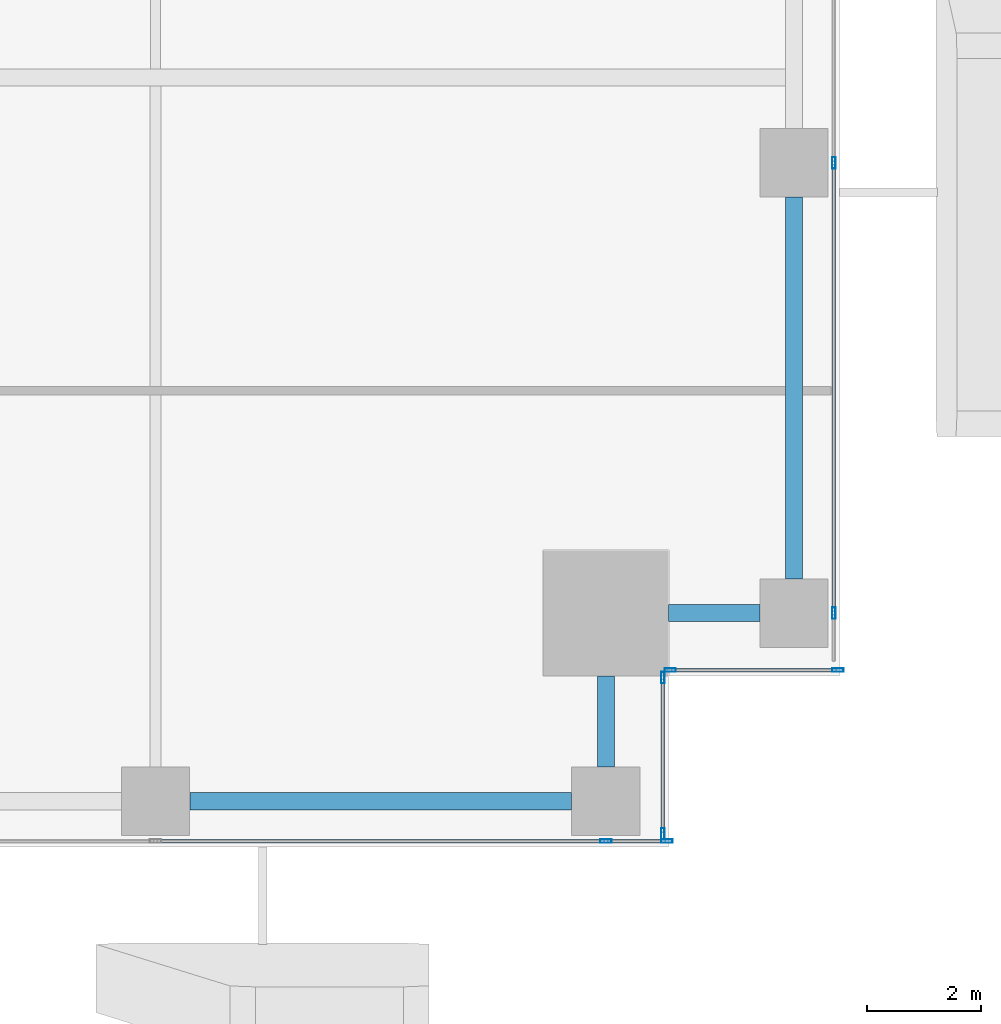
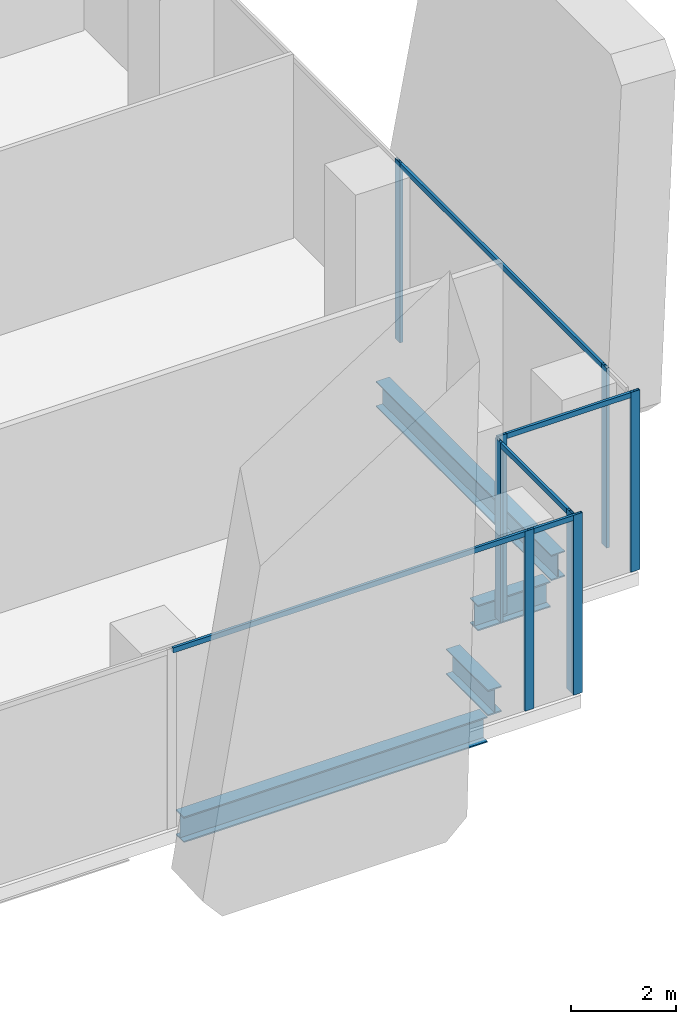
# One storey, part 8 of 34: 13 members, 4 beams, 4 elements without a shape of their own.
"""IFC4 building model written with IfcOpenShell, lengths in metres."""

import ifcopenshell
import ifcopenshell.guid

model = None  # the IFC model being written
_history = None  # IfcOwnerHistory: only IFC2X3 demands one
_inside = {}  # id of a spatial element -> (the spatial element, [elements in it])
_under = {}  # id of a project, library or spatial element -> (it, [spatial elements below it])
_declared = {}  # id of a project -> (the project, [libraries it declares])
_typed = {}  # id of a type object -> (the type object, [elements of that type])
_made_of = {}  # id of a material, layer set ... -> (it, [elements and type objects made of it])


def new_model(schema):
    """Start an empty IFC model of exactly this schema.

    Asked for "IFC4X3", IfcOpenShell would pick the latest addendum, in which some entities
    have other attributes; the version numbers below select the first issue.
    IFC2X3 requires an IfcOwnerHistory on every rooted entity: one is made here for all.
    """
    global model, _history
    if schema == "IFC4X3":
        model = ifcopenshell.file(schema_version=(4, 3, 0, 0))
    else:
        model = ifcopenshell.file(schema=schema)
    _inside.clear()
    _under.clear()
    _declared.clear()
    _typed.clear()
    _made_of.clear()
    _history = None
    if model.schema == "IFC2X3":
        org = make("IfcOrganization", Name="unknown")
        user = make(
            "IfcPersonAndOrganization",
            ThePerson=make("IfcPerson", FamilyName="unknown"),
            TheOrganization=org,
        )
        app = make(
            "IfcApplication",
            ApplicationDeveloper=org,
            Version="unknown",
            ApplicationFullName="unknown",
            ApplicationIdentifier="unknown",
        )
        _history = make(
            "IfcOwnerHistory",
            OwningUser=user,
            OwningApplication=app,
            ChangeAction="ADDED",
            CreationDate=0,
        )
    return model


def make(cls, **values):
    """One entity of the class cls with the attributes given. An attribute that is None is left unset."""
    return model.create_entity(
        cls, **{name: value for name, value in values.items() if value is not None}
    )


def rooted(cls, **values):
    """An entity with a GlobalId (a new one), such as an element, a storey or a relation."""
    return make(cls, GlobalId=ifcopenshell.guid.new(), OwnerHistory=_history, **values)


def si_unit(unit_type, name, prefix=None):
    """IfcSIUnit, for example si_unit("LENGTHUNIT", "METRE", prefix="MILLI")."""
    return make("IfcSIUnit", UnitType=unit_type, Prefix=prefix, Name=name)


def assignment(units):
    """IfcUnitAssignment: the units of a project."""
    return None if units is None else make("IfcUnitAssignment", Units=units)


def point(xyz):
    """IfcCartesianPoint."""
    return None if xyz is None else make("IfcCartesianPoint", Coordinates=xyz)


def direction(xyz):
    """IfcDirection."""
    return None if xyz is None else make("IfcDirection", DirectionRatios=xyz)


def frame(location, z_axis=None, x_axis=None):
    """IfcAxis2Placement3D, a coordinate frame: its origin and axes. An axis left out is left unset."""
    return make(
        "IfcAxis2Placement3D",
        Location=point(location),
        Axis=direction(z_axis),
        RefDirection=direction(x_axis),
    )


def frame_2d(location, x_axis=None):
    """IfcAxis2Placement2D, a coordinate frame in the plane: its origin and x axis."""
    return make(
        "IfcAxis2Placement2D", Location=point(location), RefDirection=direction(x_axis)
    )


def origin():
    """The frame at (0, 0, 0) with its axes left unset."""
    return frame((0.0, 0.0, 0.0))


def origin_2d():
    """The frame at (0, 0) in the plane with its x axis left unset."""
    return frame_2d((0.0, 0.0))


def place(relative_to, where):
    """IfcLocalPlacement: puts the frame where relative to a parent placement (None: the world)."""
    return make(
        "IfcLocalPlacement", PlacementRelTo=relative_to, RelativePlacement=where
    )


def context(
    kind, dimensions, precision=None, world=None, true_north=None, identifier=None
):
    """IfcGeometricRepresentationContext, for example the 3D "Model" context."""
    return make(
        "IfcGeometricRepresentationContext",
        ContextIdentifier=identifier,
        ContextType=kind,
        CoordinateSpaceDimension=dimensions,
        Precision=precision,
        WorldCoordinateSystem=world,
        TrueNorth=true_north,
    )


def subcontext(parent, identifier, kind, view, scale=None):
    """IfcGeometricRepresentationSubContext, for example "Body" below "Model"."""
    return make(
        "IfcGeometricRepresentationSubContext",
        ContextIdentifier=identifier,
        ContextType=kind,
        ParentContext=parent,
        TargetScale=scale,
        TargetView=view,
    )


def project(units=None, contexts=None):
    """IfcProject with its units and contexts."""
    return rooted(
        "IfcProject",
        Name="project",
        RepresentationContexts=contexts,
        UnitsInContext=assignment(units),
    )


def spatial(cls, under=None, at=None, **own):
    """A site, building, storey or space (cls), placed at a placement, below another one or the project."""
    s = rooted(cls, ObjectPlacement=at, **own)
    if under is not None:
        _under.setdefault(under.id(), (under, []))[1].append(s)
    return s


def profile(cls, at=None, kind="AREA", **sizes):
    """A parametric profile (cls). Its sizes go by their IFC names, for example OverallWidth=200.0."""
    return make(cls, ProfileType=kind, Position=at, **sizes)


def hollow_rectangle(**sizes):
    """IfcRectangleHollowProfileDef."""
    return profile("IfcRectangleHollowProfileDef", **sizes)


def i_section(**sizes):
    """IfcIShapeProfileDef."""
    return profile("IfcIShapeProfileDef", **sizes)


def extrude(swept, where, along, depth):
    """IfcExtrudedAreaSolid: the profile swept, set in the frame where, extruded along a direction by depth."""
    return make(
        "IfcExtrudedAreaSolid",
        SweptArea=swept,
        Position=where,
        ExtrudedDirection=direction(along),
        Depth=depth,
    )


def shape(context_of_items, identifier, shape_type, items):
    """IfcShapeRepresentation: the items that make up one representation, for example the "Body"."""
    return make(
        "IfcShapeRepresentation",
        ContextOfItems=context_of_items,
        RepresentationIdentifier=identifier,
        RepresentationType=shape_type,
        Items=items,
    )


def source(mapping_origin, context_of_items, identifier, shape_type, items):
    """IfcRepresentationMap: a shape defined once, which mapped items show again and again."""
    return make(
        "IfcRepresentationMap",
        MappingOrigin=mapping_origin,
        MappedRepresentation=shape(context_of_items, identifier, shape_type, items),
    )


def transform(
    local_origin,
    x_axis=None,
    y_axis=None,
    z_axis=None,
    scale=None,
    scale2=None,
    scale3=None,
    uniform=True,
):
    """IfcCartesianTransformationOperator3D, or its non-uniform kind. x_axis, y_axis, z_axis: its Axis1, 2, 3."""
    if uniform:
        return make(
            "IfcCartesianTransformationOperator3D",
            Axis1=direction(x_axis),
            Axis2=direction(y_axis),
            LocalOrigin=point(local_origin),
            Scale=scale,
            Axis3=direction(z_axis),
        )
    return make(
        "IfcCartesianTransformationOperator3DnonUniform",
        Axis1=direction(x_axis),
        Axis2=direction(y_axis),
        LocalOrigin=point(local_origin),
        Scale=scale,
        Axis3=direction(z_axis),
        Scale2=scale2,
        Scale3=scale3,
    )


def mapped(mapping_source, mapping_target):
    """IfcMappedItem: shows the shape of a source again, moved by a transform."""
    return make(
        "IfcMappedItem", MappingSource=mapping_source, MappingTarget=mapping_target
    )


def material(Name=None, Category=None):
    """IfcMaterial."""
    return make("IfcMaterial", Name=Name, Category=Category)


def material_profile(
    of_material, cross_section, Name=None, Category=None, Priority=None
):
    """IfcMaterialProfile: a cross section and its material."""
    return make(
        "IfcMaterialProfile",
        Name=Name,
        Material=of_material,
        Profile=cross_section,
        Priority=Priority,
        Category=Category,
    )


def profile_set(profiles, Name=None, composite=None):
    """IfcMaterialProfileSet."""
    return make(
        "IfcMaterialProfileSet",
        Name=Name,
        MaterialProfiles=profiles,
        CompositeProfile=composite,
    )


def made_of(thing, what):
    """Note that an element or type object is made of a material, layer set ...; save() writes the relation."""
    if what is not None:
        _made_of.setdefault(what.id(), (what, []))[1].append(thing)
    return thing


def type_object(cls, material=None, **own):
    """A type object (cls), such as IfcWallType, which elements share."""
    return made_of(rooted(cls, **own), material)


def element(
    cls,
    number,
    at=None,
    inside=None,
    cuts=None,
    type_object=None,
    material=None,
    context=None,
    identifier="Body",
    shape_type=None,
    held_by="IfcProductDefinitionShape",
    body=None,
    shapes=None,
    **own,
):
    """One element of the class cls, such as IfcWall. Its Tag is "e" and its number.

    at: its placement. inside: the storey or other place that contains it. cuts: it is an
    opening in that element (IfcRelVoidsElement). A single representation is given by context,
    identifier, shape_type and body (its items); several are given by shapes. held_by: the class
    of the entity that holds the representations. save() writes the other relations.
    """
    e = rooted(cls, Tag="e%d" % number, ObjectPlacement=at, **own)
    if body is not None:
        shapes = [shape(context, identifier, shape_type, body)]
    if shapes is not None:
        e.Representation = make(held_by, Representations=shapes)
    if inside is not None:
        _inside.setdefault(inside.id(), (inside, []))[1].append(e)
    if cuts is not None:
        rooted(
            "IfcRelVoidsElement", RelatingBuildingElement=cuts, RelatedOpeningElement=e
        )
    if type_object is not None:
        _typed.setdefault(type_object.id(), (type_object, []))[1].append(e)
    return made_of(e, material)


def aggregate(whole, parts):
    """IfcRelAggregates: a whole, such as a stair, and the parts it consists of."""
    return rooted("IfcRelAggregates", RelatingObject=whole, RelatedObjects=parts)


def save(model, path):
    """Write the relations noted so far, then the file.

    IfcRelAggregates (storeys below a building ...), IfcRelContainedInSpatialStructure (elements
    in a storey), IfcRelDefinesByType, IfcRelAssociatesMaterial and IfcRelDeclares: one each for
    every whole, place, type object, material and project.
    """
    for whole, parts in _under.values():
        aggregate(whole, parts)
    for where, things in _inside.values():
        rooted(
            "IfcRelContainedInSpatialStructure",
            RelatedElements=things,
            RelatingStructure=where,
        )
    for kind, things in _typed.values():
        rooted("IfcRelDefinesByType", RelatedObjects=things, RelatingType=kind)
    for what, things in _made_of.values():
        rooted("IfcRelAssociatesMaterial", RelatedObjects=things, RelatingMaterial=what)
    for by, libraries in _declared.values():
        rooted("IfcRelDeclares", RelatingContext=by, RelatedDefinitions=libraries)
    model.write(path)


model = new_model("IFC4")

# Units and contexts
model_context = context("Model", 3, precision=1e-05, world=origin(), true_north=direction((0.0, 1.0)))
body_context = subcontext(model_context, "Body", "Model", "MODEL_VIEW")
ifc_project = project(units=[si_unit("LENGTHUNIT", "METRE"), si_unit("AREAUNIT", "SQUARE_METRE"), si_unit("VOLUMEUNIT", "CUBIC_METRE"), si_unit("PLANEANGLEUNIT", "RADIAN"), si_unit("MASSUNIT", "GRAM", prefix="KILO")], contexts=[model_context])

# Site, building, storey
site_placement = place(None, origin())
site = spatial("IfcSite", under=ifc_project, at=site_placement, CompositionType="ELEMENT")
building_placement = place(site_placement, origin())
building = spatial("IfcBuilding", under=site, at=building_placement, Name="Khomas Fold Tower", CompositionType="ELEMENT")
storey_placement = place(building_placement, frame((0.0, 0.0, 51.0)))
storey = spatial("IfcBuildingStorey", under=building, at=storey_placement, Name="L10", CompositionType="ELEMENT", Elevation=51.0)

# Beams
ifc_material_1 = material(Name="Steel S355", Category="steel")
ifc_material_profile_1 = material_profile(ifc_material_1, i_section(OverallWidth=0.300048828125, OverallDepth=0.60009765625, WebThickness=0.015380859375, FlangeThickness=0.030029296875, at=origin_2d()), Name="HE 600 B")
ifc_profile_set_1 = profile_set([ifc_material_profile_1], Name="Steel S355")
beam_type = type_object("IfcBeamType", Name="HE 600 B spandrel SB1", PredefinedType="SPANDREL", material=ifc_profile_set_1)
shared_shape_1 = source(origin(), body_context, "Body", "SweptSolid", [
    extrude(i_section(OverallWidth=0.300048828125, OverallDepth=0.60009765625, WebThickness=0.015380859375, FlangeThickness=0.030029296875, at=origin_2d()), origin(), (0.0, 0.0, 1.0), 6.699951171875),
])
for number, where, z_axis, x_axis, name in (
    (1, (42.60009765625, 0.800048828125, -0.60009765625), (1.0, 0.0, 0.0), (0.0, 1.0, 0.0), "SB1"),
    (2, (53.199951171875, 4.699951171875, -0.60009765625), (0.0, 1.0, 0.0), (-1.0, 0.0, 0.0), "SB1"),
):
    element("IfcBeam", number, at=place(storey_placement, frame(where, z_axis=z_axis, x_axis=x_axis)), inside=storey, type_object=beam_type, Name=name, PredefinedType="SPANDREL", context=body_context, shape_type="MappedRepresentation", body=[
        mapped(shared_shape_1, transform((0.0, 0.0, 0.0))),
    ])
shared_shape_2 = source(origin(), body_context, "Body", "SweptSolid", [
    extrude(i_section(OverallWidth=0.300048828125, OverallDepth=0.60009765625, WebThickness=0.015380859375, FlangeThickness=0.030029296875, at=origin_2d()), origin(), (0.0, 0.0, 1.0), 1.60009765625),
])
for number, where, z_axis, x_axis, name in (
    (3, (49.89990234375, 1.39990234375, -0.60009765625), (0.0, 1.0, 0.0), (-1.0, 0.0, 0.0), "SB1"),
    (4, (51.0, 4.10009765625, -0.60009765625), (1.0, 0.0, 0.0), (0.0, 1.0, 0.0), "SB1"),
):
    element("IfcBeam", number, at=place(storey_placement, frame(where, z_axis=z_axis, x_axis=x_axis)), inside=storey, type_object=beam_type, Name=name, PredefinedType="SPANDREL", context=body_context, shape_type="MappedRepresentation", body=[
        mapped(shared_shape_2, transform((0.0, 0.0, 0.0))),
    ])

# Curtain wall, member
ifc_material_2 = material(Name="Aluminium framed double glazing", Category="aluminium")
curtain_wall_type = type_object("IfcCurtainWallType", Name="SK-Unitised clear-glass wall, growing floors CW1", PredefinedType="NOTDEFINED", material=ifc_material_2)
curtain_wall_1_placement = place(storey_placement, origin())
curtain_wall_1 = element("IfcCurtainWall", 5, at=curtain_wall_1_placement, inside=storey, type_object=curtain_wall_type, Name="CW1 run L10 00-0", PredefinedType="NOTDEFINED")
ifc_material_3 = material(Name="Aluminium", Category="aluminium")
ifc_material_profile_2 = material_profile(ifc_material_3, hollow_rectangle(XDim=0.06005859375, YDim=0.1201171875, WallThickness=0.00390625, at=origin_2d()), Name="SK-Unitised clear-glass wall, growing floors transom CW1-T")
ifc_profile_set_2 = profile_set([ifc_material_profile_2], Name="Aluminium")
member_type_1 = type_object("IfcMemberType", Name="SK-Unitised clear-glass wall, growing floors transom CW1-T", PredefinedType="USERDEFINED", material=ifc_profile_set_2)
shared_shape_3 = source(origin(), body_context, "Body", "SweptSolid", [
    extrude(hollow_rectangle(XDim=0.06005859375, YDim=0.1201171875, WallThickness=0.00390625, at=origin_2d()), origin(), (0.0, 0.0, 1.0), 7.840087890625),
])
member_1_placement = place(storey_placement, frame((42.030029296875, 0.10009765625, 4.139892578125), z_axis=(1.0, 0.0, 0.0), x_axis=(0.0, 1.0, 0.0)))
member_1 = element("IfcMember", 6, at=member_1_placement, type_object=member_type_1, Name="CW1 transom 7", ObjectType="TRANSOM", PredefinedType="USERDEFINED", context=body_context, shape_type="MappedRepresentation", body=[
    mapped(shared_shape_3, transform((0.0, 0.0, 0.0))),
])

curtain_wall_2_placement = place(storey_placement, origin())
curtain_wall_2 = element("IfcCurtainWall", 7, at=curtain_wall_2_placement, inside=storey, type_object=curtain_wall_type, Name="CW1 run L10 03-0", PredefinedType="NOTDEFINED")
member_2_placement = place(storey_placement, frame((53.89990234375, 4.1298828125, 4.139892578125), z_axis=(0.0, 1.0, 0.0), x_axis=(-1.0, 0.0, 0.0)))
member_2 = element("IfcMember", 8, at=member_2_placement, type_object=member_type_1, Name="CW1 transom 2", ObjectType="TRANSOM", PredefinedType="USERDEFINED", context=body_context, shape_type="MappedRepresentation", body=[
    mapped(shared_shape_3, transform((0.0, 0.0, 0.0))),
])

# Member
shared_shape_4 = source(origin(), body_context, "Body", "SweptSolid", [
    extrude(hollow_rectangle(XDim=0.06005859375, YDim=0.1201171875, WallThickness=0.00390625, at=origin_2d()), origin(), (0.0, 0.0, 1.0), 1.010009765625),
])
member_3_placement = place(storey_placement, frame((49.929931640625, 0.10009765625, 4.139892578125), z_axis=(1.0, 0.0, 0.0), x_axis=(0.0, 1.0, 0.0)))
member_3 = element("IfcMember", 9, at=member_3_placement, type_object=member_type_1, Name="CW1 transom 8", ObjectType="TRANSOM", PredefinedType="USERDEFINED", context=body_context, shape_type="MappedRepresentation", body=[
    mapped(shared_shape_4, transform((0.0, 0.0, 0.0))),
])

# Curtain wall, member
curtain_wall_3_placement = place(storey_placement, origin())
curtain_wall_3 = element("IfcCurtainWall", 10, at=curtain_wall_3_placement, inside=storey, type_object=curtain_wall_type, Name="CW1 corner return L10 01", PredefinedType="NOTDEFINED")
shared_shape_5 = source(origin(), body_context, "Body", "SweptSolid", [
    extrude(hollow_rectangle(XDim=0.06005859375, YDim=0.1201171875, WallThickness=0.00390625, at=origin_2d()), origin(), (0.0, 0.0, 1.0), 2.679931640625),
])
member_4_placement = place(storey_placement, frame((50.89990234375, 0.260009765625, 4.139892578125), z_axis=(0.0, 1.0, 0.0), x_axis=(-1.0, 0.0, 0.0)))
member_4 = element("IfcMember", 11, at=member_4_placement, type_object=member_type_1, Name="CW1 transom 1", ObjectType="TRANSOM", PredefinedType="USERDEFINED", context=body_context, shape_type="MappedRepresentation", body=[
    mapped(shared_shape_5, transform((0.0, 0.0, 0.0))),
])

curtain_wall_4_placement = place(storey_placement, origin())
curtain_wall_4 = element("IfcCurtainWall", 12, at=curtain_wall_4_placement, inside=storey, type_object=curtain_wall_type, Name="CW1 corner return L10 02", PredefinedType="NOTDEFINED")
shared_shape_6 = source(origin(), body_context, "Body", "SweptSolid", [
    extrude(hollow_rectangle(XDim=0.06005859375, YDim=0.1201171875, WallThickness=0.00390625, at=origin_2d()), origin(), (0.0, 0.0, 1.0), 2.8798828125),
])
member_5_placement = place(storey_placement, frame((51.06005859375, 3.10009765625, 4.139892578125), z_axis=(1.0, 0.0, 0.0), x_axis=(0.0, 1.0, 0.0)))
member_5 = element("IfcMember", 13, at=member_5_placement, type_object=member_type_1, Name="CW1 transom 1", ObjectType="TRANSOM", PredefinedType="USERDEFINED", context=body_context, shape_type="MappedRepresentation", body=[
    mapped(shared_shape_6, transform((0.0, 0.0, 0.0))),
])

# Member
ifc_material_4 = material(Name="Aluminium", Category="aluminium")
ifc_material_profile_3 = material_profile(ifc_material_4, hollow_rectangle(XDim=0.06005859375, YDim=0.199951171875, WallThickness=0.00390625, at=origin_2d()), Name="SK-Unitised clear-glass wall, growing floors mullion CW1-M")
ifc_profile_set_3 = profile_set([ifc_material_profile_3], Name="Aluminium")
member_type_2 = type_object("IfcMemberType", Name="SK-Unitised clear-glass wall, growing floors mullion CW1-M", PredefinedType="MULLION", material=ifc_profile_set_3)
shared_shape_7 = source(origin(), body_context, "Body", "SweptSolid", [
    extrude(hollow_rectangle(XDim=0.06005859375, YDim=0.199951171875, WallThickness=0.00390625, at=origin_2d()), origin(), (0.0, 0.0, 1.0), 4.199951171875),
])
member_6_placement = place(storey_placement, frame((49.89990234375, 0.10009765625, 0.0), z_axis=(0.0, 0.0, 1.0), x_axis=(0.0, 1.0, 0.0)))
member_6 = element("IfcMember", 14, at=member_6_placement, type_object=member_type_2, Name="CW1 mullion 8", PredefinedType="MULLION", context=body_context, shape_type="MappedRepresentation", body=[
    mapped(shared_shape_7, transform((0.0, 0.0, 0.0))),
])

member_7_placement = place(storey_placement, frame((50.969970703125, 0.10009765625, 0.0), z_axis=(0.0, 0.0, 1.0), x_axis=(0.0, 1.0, 0.0)))
member_7 = element("IfcMember", 15, at=member_7_placement, type_object=member_type_2, Name="CW1 mullion 9", PredefinedType="MULLION", context=body_context, shape_type="MappedRepresentation", body=[
    mapped(shared_shape_7, transform((0.0, 0.0, 0.0))),
])

aggregate(curtain_wall_1, [member_6, member_7, member_1, member_3])

member_8_placement = place(storey_placement, frame((50.89990234375, 0.22998046875, 0.0), z_axis=(0.0, 0.0, 1.0), x_axis=(-1.0, 0.0, 0.0)))
member_8 = element("IfcMember", 16, at=member_8_placement, type_object=member_type_2, Name="CW1 mullion 1", PredefinedType="MULLION", context=body_context, shape_type="MappedRepresentation", body=[
    mapped(shared_shape_7, transform((0.0, 0.0, 0.0))),
])

member_9_placement = place(storey_placement, frame((50.89990234375, 2.969970703125, 0.0), z_axis=(0.0, 0.0, 1.0), x_axis=(-1.0, 0.0, 0.0)))
member_9 = element("IfcMember", 17, at=member_9_placement, type_object=member_type_2, Name="CW1 mullion 2", PredefinedType="MULLION", context=body_context, shape_type="MappedRepresentation", body=[
    mapped(shared_shape_7, transform((0.0, 0.0, 0.0))),
])

aggregate(curtain_wall_3, [member_8, member_9, member_4])

member_10_placement = place(storey_placement, frame((51.030029296875, 3.10009765625, 0.0), z_axis=(0.0, 0.0, 1.0), x_axis=(0.0, 1.0, 0.0)))
member_10 = element("IfcMember", 18, at=member_10_placement, type_object=member_type_2, Name="CW1 mullion 1", PredefinedType="MULLION", context=body_context, shape_type="MappedRepresentation", body=[
    mapped(shared_shape_7, transform((0.0, 0.0, 0.0))),
])

member_11_placement = place(storey_placement, frame((53.969970703125, 3.10009765625, 0.0), z_axis=(0.0, 0.0, 1.0), x_axis=(0.0, 1.0, 0.0)))
member_11 = element("IfcMember", 19, at=member_11_placement, type_object=member_type_2, Name="CW1 mullion 2", PredefinedType="MULLION", context=body_context, shape_type="MappedRepresentation", body=[
    mapped(shared_shape_7, transform((0.0, 0.0, 0.0))),
])

aggregate(curtain_wall_4, [member_10, member_11, member_5])

member_12_placement = place(storey_placement, frame((53.89990234375, 4.10009765625, 0.0), z_axis=(0.0, 0.0, 1.0), x_axis=(-1.0, 0.0, 0.0)))
member_12 = element("IfcMember", 20, at=member_12_placement, type_object=member_type_2, Name="CW1 mullion 2", PredefinedType="MULLION", context=body_context, shape_type="MappedRepresentation", body=[
    mapped(shared_shape_7, transform((0.0, 0.0, 0.0))),
])

member_13_placement = place(storey_placement, frame((53.89990234375, 12.0, 0.0), z_axis=(0.0, 0.0, 1.0), x_axis=(-1.0, 0.0, 0.0)))
member_13 = element("IfcMember", 21, at=member_13_placement, type_object=member_type_2, Name="CW1 mullion 3", PredefinedType="MULLION", context=body_context, shape_type="MappedRepresentation", body=[
    mapped(shared_shape_7, transform((0.0, 0.0, 0.0))),
])

aggregate(curtain_wall_2, [member_12, member_13, member_2])

save(model, "model.ifc")
